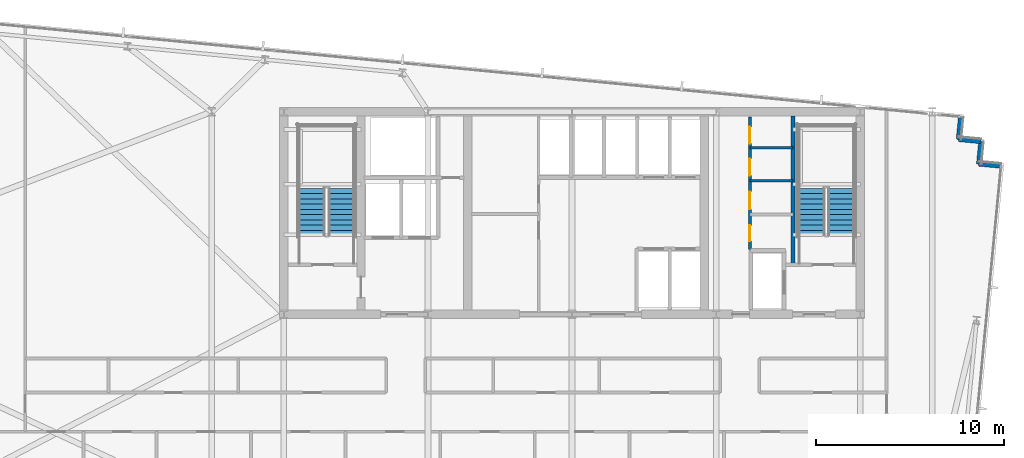
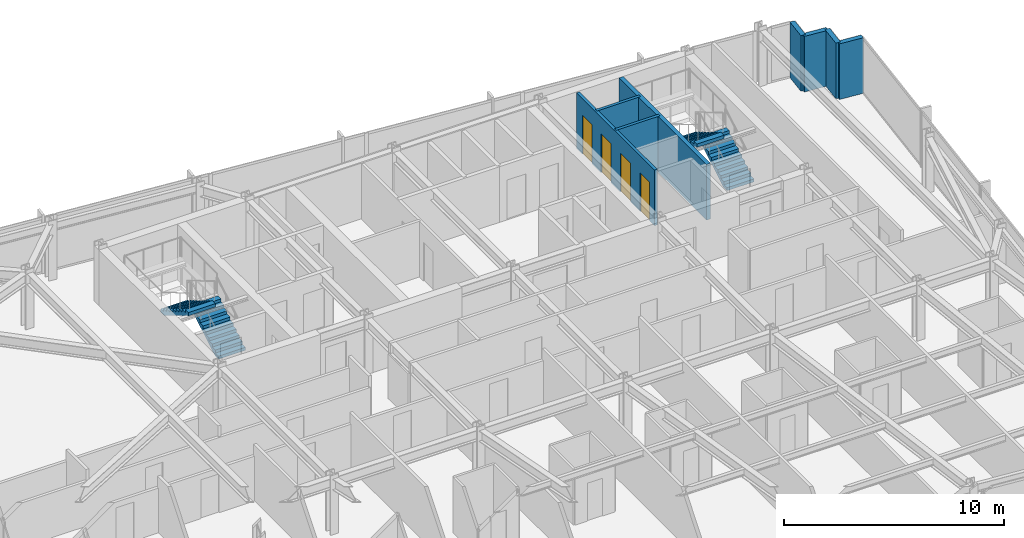
# One storey, part 32 of 37: 8 walls, 4 doors, 4 stair flights, 4 openings, 2 elements without a shape of their own.
"""IFC4 building model written with IfcOpenShell, lengths in metres."""

import ifcopenshell
import ifcopenshell.guid

model = None  # the IFC model being written
_history = None  # IfcOwnerHistory: only IFC2X3 demands one
_inside = {}  # id of a spatial element -> (the spatial element, [elements in it])
_under = {}  # id of a project, library or spatial element -> (it, [spatial elements below it])
_declared = {}  # id of a project -> (the project, [libraries it declares])
_typed = {}  # id of a type object -> (the type object, [elements of that type])
_made_of = {}  # id of a material, layer set ... -> (it, [elements and type objects made of it])


def new_model(schema):
    """Start an empty IFC model of exactly this schema.

    Asked for "IFC4X3", IfcOpenShell would pick the latest addendum, in which some entities
    have other attributes; the version numbers below select the first issue.
    IFC2X3 requires an IfcOwnerHistory on every rooted entity: one is made here for all.
    """
    global model, _history
    if schema == "IFC4X3":
        model = ifcopenshell.file(schema_version=(4, 3, 0, 0))
    else:
        model = ifcopenshell.file(schema=schema)
    _inside.clear()
    _under.clear()
    _declared.clear()
    _typed.clear()
    _made_of.clear()
    _history = None
    if model.schema == "IFC2X3":
        org = make("IfcOrganization", Name="unknown")
        user = make(
            "IfcPersonAndOrganization",
            ThePerson=make("IfcPerson", FamilyName="unknown"),
            TheOrganization=org,
        )
        app = make(
            "IfcApplication",
            ApplicationDeveloper=org,
            Version="unknown",
            ApplicationFullName="unknown",
            ApplicationIdentifier="unknown",
        )
        _history = make(
            "IfcOwnerHistory",
            OwningUser=user,
            OwningApplication=app,
            ChangeAction="ADDED",
            CreationDate=0,
        )
    return model


def make(cls, **values):
    """One entity of the class cls with the attributes given. An attribute that is None is left unset."""
    return model.create_entity(
        cls, **{name: value for name, value in values.items() if value is not None}
    )


def rooted(cls, **values):
    """An entity with a GlobalId (a new one), such as an element, a storey or a relation."""
    return make(cls, GlobalId=ifcopenshell.guid.new(), OwnerHistory=_history, **values)


def si_unit(unit_type, name, prefix=None):
    """IfcSIUnit, for example si_unit("LENGTHUNIT", "METRE", prefix="MILLI")."""
    return make("IfcSIUnit", UnitType=unit_type, Prefix=prefix, Name=name)


def assignment(units):
    """IfcUnitAssignment: the units of a project."""
    return None if units is None else make("IfcUnitAssignment", Units=units)


def point(xyz):
    """IfcCartesianPoint."""
    return None if xyz is None else make("IfcCartesianPoint", Coordinates=xyz)


def direction(xyz):
    """IfcDirection."""
    return None if xyz is None else make("IfcDirection", DirectionRatios=xyz)


def frame(location, z_axis=None, x_axis=None):
    """IfcAxis2Placement3D, a coordinate frame: its origin and axes. An axis left out is left unset."""
    return make(
        "IfcAxis2Placement3D",
        Location=point(location),
        Axis=direction(z_axis),
        RefDirection=direction(x_axis),
    )


def frame_2d(location, x_axis=None):
    """IfcAxis2Placement2D, a coordinate frame in the plane: its origin and x axis."""
    return make(
        "IfcAxis2Placement2D", Location=point(location), RefDirection=direction(x_axis)
    )


def origin():
    """The frame at (0, 0, 0) with its axes left unset."""
    return frame((0.0, 0.0, 0.0))


def place(relative_to, where):
    """IfcLocalPlacement: puts the frame where relative to a parent placement (None: the world)."""
    return make(
        "IfcLocalPlacement", PlacementRelTo=relative_to, RelativePlacement=where
    )


def context(
    kind, dimensions, precision=None, world=None, true_north=None, identifier=None
):
    """IfcGeometricRepresentationContext, for example the 3D "Model" context."""
    return make(
        "IfcGeometricRepresentationContext",
        ContextIdentifier=identifier,
        ContextType=kind,
        CoordinateSpaceDimension=dimensions,
        Precision=precision,
        WorldCoordinateSystem=world,
        TrueNorth=true_north,
    )


def subcontext(parent, identifier, kind, view, scale=None):
    """IfcGeometricRepresentationSubContext, for example "Body" below "Model"."""
    return make(
        "IfcGeometricRepresentationSubContext",
        ContextIdentifier=identifier,
        ContextType=kind,
        ParentContext=parent,
        TargetScale=scale,
        TargetView=view,
    )


def project(units=None, contexts=None):
    """IfcProject with its units and contexts."""
    return rooted(
        "IfcProject",
        Name="project",
        RepresentationContexts=contexts,
        UnitsInContext=assignment(units),
    )


def spatial(cls, under=None, at=None, **own):
    """A site, building, storey or space (cls), placed at a placement, below another one or the project."""
    s = rooted(cls, ObjectPlacement=at, **own)
    if under is not None:
        _under.setdefault(under.id(), (under, []))[1].append(s)
    return s


def polyline(points):
    """IfcPolyline through the points."""
    return make("IfcPolyline", Points=[point(p) for p in points])


def profile(cls, at=None, kind="AREA", **sizes):
    """A parametric profile (cls). Its sizes go by their IFC names, for example OverallWidth=200.0."""
    return make(cls, ProfileType=kind, Position=at, **sizes)


def rectangle(**sizes):
    """IfcRectangleProfileDef."""
    return profile("IfcRectangleProfileDef", **sizes)


def outline(outer, holes=None, kind="AREA"):
    """IfcArbitraryClosedProfileDef: a profile drawn as a closed curve; with holes, ...WithVoids."""
    if holes is None:
        return make("IfcArbitraryClosedProfileDef", ProfileType=kind, OuterCurve=outer)
    return make(
        "IfcArbitraryProfileDefWithVoids",
        ProfileType=kind,
        OuterCurve=outer,
        InnerCurves=holes,
    )


def extrude(swept, where, along, depth):
    """IfcExtrudedAreaSolid: the profile swept, set in the frame where, extruded along a direction by depth."""
    return make(
        "IfcExtrudedAreaSolid",
        SweptArea=swept,
        Position=where,
        ExtrudedDirection=direction(along),
        Depth=depth,
    )


def shape(context_of_items, identifier, shape_type, items):
    """IfcShapeRepresentation: the items that make up one representation, for example the "Body"."""
    return make(
        "IfcShapeRepresentation",
        ContextOfItems=context_of_items,
        RepresentationIdentifier=identifier,
        RepresentationType=shape_type,
        Items=items,
    )


def material(Name=None, Category=None):
    """IfcMaterial."""
    return make("IfcMaterial", Name=Name, Category=Category)


def layer(
    of_material, thickness, ventilated=None, Name=None, Category=None, Priority=None
):
    """IfcMaterialLayer: one layer of a wall or slab, of a material (None: an air gap)."""
    return make(
        "IfcMaterialLayer",
        Material=of_material,
        LayerThickness=thickness,
        IsVentilated=ventilated,
        Name=Name,
        Category=Category,
        Priority=Priority,
    )


def layer_set(layers, Name=None):
    """IfcMaterialLayerSet."""
    return make("IfcMaterialLayerSet", MaterialLayers=layers, LayerSetName=Name)


def made_of(thing, what):
    """Note that an element or type object is made of a material, layer set ...; save() writes the relation."""
    if what is not None:
        _made_of.setdefault(what.id(), (what, []))[1].append(thing)
    return thing


def type_object(cls, material=None, **own):
    """A type object (cls), such as IfcWallType, which elements share."""
    return made_of(rooted(cls, **own), material)


def element(
    cls,
    number,
    at=None,
    inside=None,
    cuts=None,
    type_object=None,
    material=None,
    context=None,
    identifier="Body",
    shape_type=None,
    held_by="IfcProductDefinitionShape",
    body=None,
    shapes=None,
    **own,
):
    """One element of the class cls, such as IfcWall. Its Tag is "e" and its number.

    at: its placement. inside: the storey or other place that contains it. cuts: it is an
    opening in that element (IfcRelVoidsElement). A single representation is given by context,
    identifier, shape_type and body (its items); several are given by shapes. held_by: the class
    of the entity that holds the representations. save() writes the other relations.
    """
    e = rooted(cls, Tag="e%d" % number, ObjectPlacement=at, **own)
    if body is not None:
        shapes = [shape(context, identifier, shape_type, body)]
    if shapes is not None:
        e.Representation = make(held_by, Representations=shapes)
    if inside is not None:
        _inside.setdefault(inside.id(), (inside, []))[1].append(e)
    if cuts is not None:
        rooted(
            "IfcRelVoidsElement", RelatingBuildingElement=cuts, RelatedOpeningElement=e
        )
    if type_object is not None:
        _typed.setdefault(type_object.id(), (type_object, []))[1].append(e)
    return made_of(e, material)


def fill(opening, filler):
    """IfcRelFillsElement: the door or window that sits in an opening."""
    return rooted(
        "IfcRelFillsElement",
        RelatingOpeningElement=opening,
        RelatedBuildingElement=filler,
    )


def aggregate(whole, parts):
    """IfcRelAggregates: a whole, such as a stair, and the parts it consists of."""
    return rooted("IfcRelAggregates", RelatingObject=whole, RelatedObjects=parts)


def save(model, path):
    """Write the relations noted so far, then the file.

    IfcRelAggregates (storeys below a building ...), IfcRelContainedInSpatialStructure (elements
    in a storey), IfcRelDefinesByType, IfcRelAssociatesMaterial and IfcRelDeclares: one each for
    every whole, place, type object, material and project.
    """
    for whole, parts in _under.values():
        aggregate(whole, parts)
    for where, things in _inside.values():
        rooted(
            "IfcRelContainedInSpatialStructure",
            RelatedElements=things,
            RelatingStructure=where,
        )
    for kind, things in _typed.values():
        rooted("IfcRelDefinesByType", RelatedObjects=things, RelatingType=kind)
    for what, things in _made_of.values():
        rooted("IfcRelAssociatesMaterial", RelatedObjects=things, RelatingMaterial=what)
    for by, libraries in _declared.values():
        rooted("IfcRelDeclares", RelatingContext=by, RelatedDefinitions=libraries)
    model.write(path)


model = new_model("IFC4")

# Units and contexts
model_context = context("Model", 3, precision=1e-05, world=origin(), true_north=direction((0.0, 1.0)))
body_context = subcontext(model_context, "Body", "Model", "MODEL_VIEW")
ifc_project = project(units=[si_unit("LENGTHUNIT", "METRE"), si_unit("AREAUNIT", "SQUARE_METRE"), si_unit("VOLUMEUNIT", "CUBIC_METRE"), si_unit("PLANEANGLEUNIT", "RADIAN"), si_unit("MASSUNIT", "GRAM", prefix="KILO")], contexts=[model_context])

# Site, building, storey
site_placement = place(None, origin())
site = spatial("IfcSite", under=ifc_project, at=site_placement, CompositionType="ELEMENT")
building_placement = place(site_placement, origin())
building = spatial("IfcBuilding", under=site, at=building_placement, Name="Yelkora Congress Tower", CompositionType="ELEMENT")
storey_placement = place(building_placement, frame((0.0, 0.0, 182.0)))
storey = spatial("IfcBuildingStorey", under=building, at=storey_placement, Name="L50", CompositionType="ELEMENT", Elevation=182.0)

# Walls
ifc_material_1 = material(Name="Concrete C50/60", Category="concrete")
ifc_layer_1 = layer(ifc_material_1, 0.219970703125)
ifc_layer_set_1 = layer_set([ifc_layer_1], Name="Concrete C50/60")
wall_type_1 = type_object("IfcWallType", Name="WALL-CORE-INT-220", PredefinedType="SHEAR", material=ifc_layer_set_1)
wall_1_placement = place(storey_placement, frame((50.179931640625, 38.050048828125, 0.0), z_axis=(0.0, 0.0, 1.0), x_axis=(0.0, 1.0, 0.0)))
element("IfcWall", 1, at=wall_1_placement, inside=storey, type_object=wall_type_1, Name="L50 ST02 West Stair Shear Wall", PredefinedType="SHEAR", context=body_context, shape_type="SweptSolid", body=[
    extrude(rectangle(XDim=7.925048828125, YDim=0.219970703125, at=frame_2d((3.96240234375, 0.0))), origin(), (0.0, 0.0, 1.0), 3.080078125),
])
ifc_material_2 = material(Name="Concrete C40/50", Category="concrete")
ifc_layer_2 = layer(ifc_material_2, 0.239990234375)
ifc_layer_set_2 = layer_set([ifc_layer_2], Name="Concrete C40/50")
wall_type_2 = type_object("IfcWallType", Name="WALL-EXT-LIMESTONE-240", PredefinedType="SOLIDWALL", material=ifc_layer_set_2)
for number, where, z_axis, x_axis, name in (
    (2, (59.108642578125, 45.923095703125, 0.0), (0.0, 0.0, 1.0), (-0.095817067274, -0.995398960025, 0.0), "L50 Serrated Corner Limestone Pier 11"),
    (3, (58.99365234375, 44.728515625, 0.0), (0.0, 0.0, 1.0), (0.995398960025, -0.095817067274, 0.0), "L50 Serrated Corner Limestone Pier 12"),
    (4, (60.188232421875, 44.613525390625, 0.0), (0.0, 0.0, 1.0), (-0.096018626938, -0.995379537303, 0.0), "L50 Serrated Corner Limestone Pier 13"),
    (5, (60.072998046875, 43.4189453125, 0.0), (0.0, 0.0, 1.0), (0.995398960025, -0.095817067274, 0.0), "L50 Serrated Corner Limestone Pier 14"),
):
    element("IfcWall", number, at=place(storey_placement, frame(where, z_axis=z_axis, x_axis=x_axis)), inside=storey, type_object=wall_type_2, Name=name, PredefinedType="SOLIDWALL", context=body_context, shape_type="SweptSolid", body=[
        extrude(rectangle(XDim=1.2001953125, YDim=0.239990234375, at=frame_2d((0.60009765625, 0.0))), origin(), (0.0, 0.0, 1.0), 3.080078125),
    ])
ifc_material_3 = material(Name="Acoustic metal-stud gypsum partition", Category="gypsum")
ifc_layer_3 = layer(ifc_material_3, 0.14990234375)
ifc_layer_set_3 = layer_set([ifc_layer_3], Name="Acoustic metal-stud gypsum partition")
wall_type_3 = type_object("IfcWallType", Name="WALL-INT-150-NR", PredefinedType="PARTITIONING", material=ifc_layer_set_3)
for number, where, z_axis, x_axis, name in (
    (6, (47.8798828125, 42.52001953125, 0.0), (0.0, 0.0, 1.0), (1.0, 0.0, 0.0), "L50 Partition Wall 25"),
    (7, (47.8798828125, 44.280029296875, 0.0), (0.0, 0.0, 1.0), (1.0, 0.0, 0.0), "L50 Partition Wall 26"),
):
    element("IfcWall", number, at=place(storey_placement, frame(where, z_axis=z_axis, x_axis=x_axis)), inside=storey, type_object=wall_type_3, Name=name, PredefinedType="PARTITIONING", context=body_context, shape_type="SweptSolid", body=[
        extrude(rectangle(XDim=2.300048828125, YDim=0.14990234375, at=frame_2d((1.14990234375, 0.0))), origin(), (0.0, 0.0, 1.0), 3.080078125),
    ])

# Wall, openings, doors
wall_2_placement = place(storey_placement, frame((47.8798828125, 38.85009765625, 0.0), z_axis=(0.0, 0.0, 1.0), x_axis=(0.0, 1.0, 0.0)))
wall_2 = element("IfcWall", 8, at=wall_2_placement, inside=storey, type_object=wall_type_3, Name="L50 Partition Wall 27", PredefinedType="PARTITIONING", context=body_context, shape_type="SweptSolid", body=[
    extrude(rectangle(XDim=7.06982421875, YDim=0.14990234375, at=frame_2d((3.534912109375, 0.0))), origin(), (0.0, 0.0, 1.0), 3.080078125),
])
opening_1_placement = place(wall_2_placement, frame((0.449951171875, 0.0, 0.0)))
opening_1 = element("IfcOpeningElement", 9, at=opening_1_placement, cuts=wall_2, Name="Opening DR-085N", PredefinedType="OPENING", context=body_context, shape_type="SweptSolid", body=[
    extrude(rectangle(XDim=0.85009765625, YDim=2.14990234375, at=frame_2d((0.425048828125, 1.074951171875))), frame((0.0, 0.0849609375, 0.0), z_axis=(0.0, -1.0, 0.0), x_axis=(1.0, 0.0, 0.0)), (0.0, 0.0, 1.0), 0.169921875),
])
opening_2_placement = place(wall_2_placement, frame((2.14990234375, 0.0, 0.0)))
opening_2 = element("IfcOpeningElement", 10, at=opening_2_placement, cuts=wall_2, Name="Opening DR-095N", PredefinedType="OPENING", context=body_context, shape_type="SweptSolid", body=[
    extrude(rectangle(XDim=0.949951171875, YDim=2.14990234375, at=frame_2d((0.47509765625, 1.074951171875))), frame((0.0, 0.0849609375, 0.0), z_axis=(0.0, -1.0, 0.0), x_axis=(1.0, 0.0, 0.0)), (0.0, 0.0, 1.0), 0.169921875),
])
opening_3_placement = place(wall_2_placement, frame((3.949951171875, 0.0, 0.0)))
opening_3 = element("IfcOpeningElement", 11, at=opening_3_placement, cuts=wall_2, Name="Opening DR-090N", PredefinedType="OPENING", context=body_context, shape_type="SweptSolid", body=[
    extrude(rectangle(XDim=0.89990234375, YDim=2.14990234375, at=frame_2d((0.449951171875, 1.074951171875))), frame((0.0, 0.0849609375, 0.0), z_axis=(0.0, -1.0, 0.0), x_axis=(1.0, 0.0, 0.0)), (0.0, 0.0, 1.0), 0.169921875),
])
opening_4_placement = place(wall_2_placement, frame((5.64990234375, 0.0, 0.0)))
opening_4 = element("IfcOpeningElement", 12, at=opening_4_placement, cuts=wall_2, Name="Opening DR-090N", PredefinedType="OPENING", context=body_context, shape_type="SweptSolid", body=[
    extrude(rectangle(XDim=0.89990234375, YDim=2.14990234375, at=frame_2d((0.449951171875, 1.074951171875))), frame((0.0, 0.0849609375, 0.0), z_axis=(0.0, -1.0, 0.0), x_axis=(1.0, 0.0, 0.0)), (0.0, 0.0, 1.0), 0.169921875),
])
ifc_material_4 = material(Name="Laminate service store door leaf", Category="wood")
door_type_1 = type_object("IfcDoorType", Name="DOOR-INT-850", OperationType="NOTDEFINED", PredefinedType="DOOR", material=ifc_material_4)
door_1_placement = place(opening_1_placement, origin())
door_1 = element("IfcDoor", 13, at=door_1_placement, inside=storey, type_object=door_type_1, Name="L50 Janitor Room Door", OperationType="SINGLE_SWING_RIGHT", OverallHeight=2.14990234375, OverallWidth=0.85009765625, PredefinedType="DOOR", context=body_context, shape_type="SweptSolid", body=[
    extrude(rectangle(XDim=0.85009765625, YDim=2.14990234375, at=frame_2d((0.425048828125, 1.074951171875))), frame((0.0, 0.02490234375, 0.0), z_axis=(0.0, -1.0, 0.0), x_axis=(1.0, 0.0, 0.0)), (0.0, 0.0, 1.0), 0.050048828125),
])
fill(opening_1, door_1)
ifc_material_5 = material(Name="Moisture-resistant laminate door leaf", Category="wood")
door_type_2 = type_object("IfcDoorType", Name="DOOR-INT-900", OperationType="NOTDEFINED", PredefinedType="DOOR", material=ifc_material_5)
door_2_placement = place(opening_3_placement, origin())
door_2 = element("IfcDoor", 14, at=door_2_placement, inside=storey, type_object=door_type_2, Name="L50 Male WC Door", OperationType="SINGLE_SWING_RIGHT", OverallHeight=2.14990234375, OverallWidth=0.89990234375, PredefinedType="DOOR", context=body_context, shape_type="SweptSolid", body=[
    extrude(rectangle(XDim=0.89990234375, YDim=2.14990234375, at=frame_2d((0.449951171875, 1.074951171875))), frame((0.0, 0.02490234375, 0.0), z_axis=(0.0, -1.0, 0.0), x_axis=(1.0, 0.0, 0.0)), (0.0, 0.0, 1.0), 0.050048828125),
])
fill(opening_3, door_2)
door_3_placement = place(opening_4_placement, origin())
door_3 = element("IfcDoor", 15, at=door_3_placement, inside=storey, type_object=door_type_2, Name="L50 Female WC Door", OperationType="SINGLE_SWING_LEFT", OverallHeight=2.14990234375, OverallWidth=0.89990234375, PredefinedType="DOOR", context=body_context, shape_type="SweptSolid", body=[
    extrude(rectangle(XDim=0.89990234375, YDim=2.14990234375, at=frame_2d((0.449951171875, 1.074951171875))), frame((0.0, 0.02490234375, 0.0), z_axis=(0.0, -1.0, 0.0), x_axis=(1.0, 0.0, 0.0)), (0.0, 0.0, 1.0), 0.050048828125),
])
fill(opening_4, door_3)
ifc_material_6 = material(Name="Acoustic laminated timber office door", Category="wood")
door_type_3 = type_object("IfcDoorType", Name="DOOR-INT-950", OperationType="NOTDEFINED", PredefinedType="DOOR", material=ifc_material_6)
door_4_placement = place(opening_2_placement, origin())
door_4 = element("IfcDoor", 16, at=door_4_placement, inside=storey, type_object=door_type_3, Name="L50 Accessible WC Door", OperationType="SINGLE_SWING_LEFT", OverallHeight=2.14990234375, OverallWidth=0.949951171875, PredefinedType="DOOR", context=body_context, shape_type="SweptSolid", body=[
    extrude(rectangle(XDim=0.949951171875, YDim=2.14990234375, at=frame_2d((0.47509765625, 1.074951171875))), frame((0.0, 0.02490234375, 0.0), z_axis=(0.0, -1.0, 0.0), x_axis=(1.0, 0.0, 0.0)), (0.0, 0.0, 1.0), 0.050048828125),
])
fill(opening_2, door_4)

# Stair, stair flights
stair_type = type_object("IfcStairType", Name="STAIR-HT-1420-R20-165", PredefinedType="HALF_TURN_STAIR", material=ifc_material_2)
stair_1_placement = place(storey_placement, origin())
stair_1 = element("IfcStair", 17, at=stair_1_placement, inside=storey, type_object=stair_type, Name="West Core Protected Exit Stair ST-01 (L50)", PredefinedType="HALF_TURN_STAIR")
stair_flight_type = type_object("IfcStairFlightType", Name="FLIGHT-1420-N10-R165-G280", PredefinedType="STRAIGHT", material=ifc_material_2)
stair_flight_1_placement = place(storey_placement, frame((26.110107421875, 39.60009765625, 0.0), z_axis=(0.0, 0.0, 1.0), x_axis=(0.0, 1.0, 0.0)))
stair_flight_1 = element("IfcStairFlight", 18, at=stair_flight_1_placement, type_object=stair_flight_type, Name="ST-01 L50 Flight 1", NumberOfRisers=10, NumberOfTreads=9, PredefinedType="STRAIGHT", RiserHeight=0.165, TreadLength=0.28, context=body_context, shape_type="SweptSolid", body=[
    extrude(outline(polyline([(0.0, 0.0), (0.0, 0.1650390625), (0.280029296875, 0.1650390625), (0.280029296875, 0.330078125), (0.56005859375, 0.330078125), (0.56005859375, 0.4951171875), (0.840087890625, 0.4951171875), (0.840087890625, 0.659912109375), (1.1201171875, 0.659912109375), (1.1201171875, 0.824951171875), (1.39990234375, 0.824951171875), (1.39990234375, 0.989990234375), (1.679931640625, 0.989990234375), (1.679931640625, 1.155029296875), (1.9599609375, 1.155029296875), (1.9599609375, 1.320068359375), (2.239990234375, 1.320068359375), (2.239990234375, 1.485107421875), (2.52001953125, 1.485107421875), (2.52001953125, 1.64990234375), (2.52001953125, 1.29931640625), (0.31494140625, 0.0), (0.0, 0.0)])), frame((0.0, 0.7099609375, 0.0), z_axis=(0.0, -1.0, 0.0), x_axis=(1.0, 0.0, 0.0)), (0.0, 0.0, 1.0), 1.419921875),
])
stair_flight_2_placement = place(storey_placement, frame((24.530029296875, 42.1201171875, 1.64990234375), z_axis=(0.0, 0.0, 1.0), x_axis=(0.0, -1.0, 0.0)))
stair_flight_2 = element("IfcStairFlight", 19, at=stair_flight_2_placement, type_object=stair_flight_type, Name="ST-01 L50 Flight 2", NumberOfRisers=10, NumberOfTreads=9, PredefinedType="STRAIGHT", RiserHeight=0.165, TreadLength=0.28, context=body_context, shape_type="SweptSolid", body=[
    extrude(outline(polyline([(0.0, 0.0), (0.0, 0.1650390625), (0.280029296875, 0.1650390625), (0.280029296875, 0.330078125), (0.56005859375, 0.330078125), (0.56005859375, 0.4951171875), (0.840087890625, 0.4951171875), (0.840087890625, 0.659912109375), (1.1201171875, 0.659912109375), (1.1201171875, 0.824951171875), (1.39990234375, 0.824951171875), (1.39990234375, 0.989990234375), (1.679931640625, 0.989990234375), (1.679931640625, 1.155029296875), (1.9599609375, 1.155029296875), (1.9599609375, 1.320068359375), (2.239990234375, 1.320068359375), (2.239990234375, 1.485107421875), (2.52001953125, 1.485107421875), (2.52001953125, 1.64990234375), (2.52001953125, 1.29931640625), (0.31494140625, 0.0), (0.0, 0.0)])), frame((0.0, 0.7099609375, 0.0), z_axis=(0.0, -1.0, 0.0), x_axis=(1.0, 0.0, 0.0)), (0.0, 0.0, 1.0), 1.419921875),
])
aggregate(stair_1, [stair_flight_1, stair_flight_2])

stair_2_placement = place(storey_placement, origin())
stair_2 = element("IfcStair", 20, at=stair_2_placement, inside=storey, type_object=stair_type, Name="East Core Protected Exit Stair ST-02 (L50)", PredefinedType="HALF_TURN_STAIR")
stair_flight_3_placement = place(storey_placement, frame((52.75, 39.60009765625, 0.0), z_axis=(0.0, 0.0, 1.0), x_axis=(0.0, 1.0, 0.0)))
stair_flight_3 = element("IfcStairFlight", 21, at=stair_flight_3_placement, type_object=stair_flight_type, Name="ST-02 L50 Flight 1", NumberOfRisers=10, NumberOfTreads=9, PredefinedType="STRAIGHT", RiserHeight=0.165, TreadLength=0.28, context=body_context, shape_type="SweptSolid", body=[
    extrude(outline(polyline([(0.0, 0.0), (0.0, 0.1650390625), (0.280029296875, 0.1650390625), (0.280029296875, 0.330078125), (0.56005859375, 0.330078125), (0.56005859375, 0.4951171875), (0.840087890625, 0.4951171875), (0.840087890625, 0.659912109375), (1.1201171875, 0.659912109375), (1.1201171875, 0.824951171875), (1.39990234375, 0.824951171875), (1.39990234375, 0.989990234375), (1.679931640625, 0.989990234375), (1.679931640625, 1.155029296875), (1.9599609375, 1.155029296875), (1.9599609375, 1.320068359375), (2.239990234375, 1.320068359375), (2.239990234375, 1.485107421875), (2.52001953125, 1.485107421875), (2.52001953125, 1.64990234375), (2.52001953125, 1.29931640625), (0.31494140625, 0.0), (0.0, 0.0)])), frame((0.0, 0.7099609375, 0.0), z_axis=(0.0, -1.0, 0.0), x_axis=(1.0, 0.0, 0.0)), (0.0, 0.0, 1.0), 1.419921875),
])
stair_flight_4_placement = place(storey_placement, frame((51.169921875, 42.1201171875, 1.64990234375), z_axis=(0.0, 0.0, 1.0), x_axis=(0.0, -1.0, 0.0)))
stair_flight_4 = element("IfcStairFlight", 22, at=stair_flight_4_placement, type_object=stair_flight_type, Name="ST-02 L50 Flight 2", NumberOfRisers=10, NumberOfTreads=9, PredefinedType="STRAIGHT", RiserHeight=0.165, TreadLength=0.28, context=body_context, shape_type="SweptSolid", body=[
    extrude(outline(polyline([(0.0, 0.0), (0.0, 0.1650390625), (0.280029296875, 0.1650390625), (0.280029296875, 0.330078125), (0.56005859375, 0.330078125), (0.56005859375, 0.4951171875), (0.840087890625, 0.4951171875), (0.840087890625, 0.659912109375), (1.1201171875, 0.659912109375), (1.1201171875, 0.824951171875), (1.39990234375, 0.824951171875), (1.39990234375, 0.989990234375), (1.679931640625, 0.989990234375), (1.679931640625, 1.155029296875), (1.9599609375, 1.155029296875), (1.9599609375, 1.320068359375), (2.239990234375, 1.320068359375), (2.239990234375, 1.485107421875), (2.52001953125, 1.485107421875), (2.52001953125, 1.64990234375), (2.52001953125, 1.29931640625), (0.31494140625, 0.0), (0.0, 0.0)])), frame((0.0, 0.7099609375, 0.0), z_axis=(0.0, -1.0, 0.0), x_axis=(1.0, 0.0, 0.0)), (0.0, 0.0, 1.0), 1.419921875),
])
aggregate(stair_2, [stair_flight_3, stair_flight_4])

save(model, "model.ifc")
